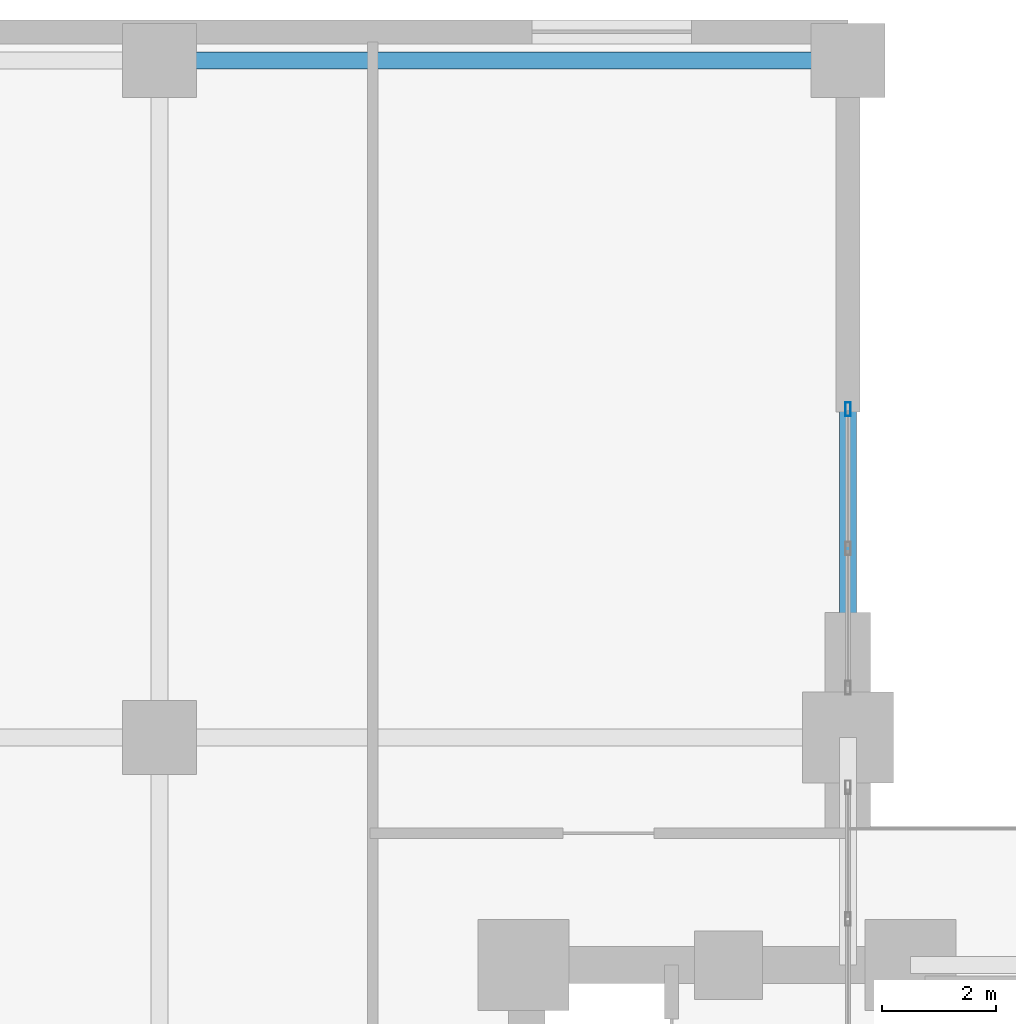
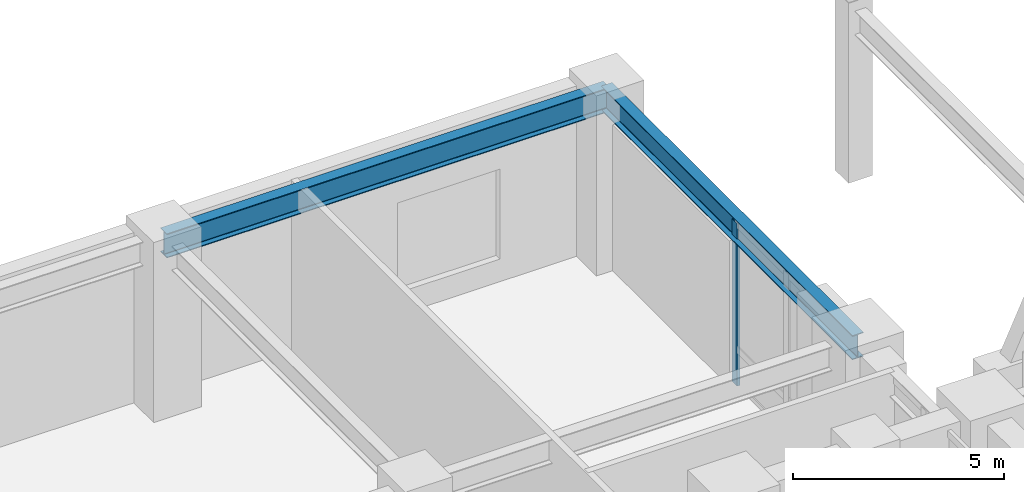
# One storey, part 11 of 26: 2 beams, 1 member, 1 element without a shape of its own.
"""IFC4 building model written with IfcOpenShell, lengths in metres."""

from ifc_helpers import new_model, si_unit, direction, frame, origin, origin_2d, place, context, subcontext, project, spatial, hollow_rectangle, i_section, extrude, material, layer, layer_set, material_profile, profile_set, type_object, element, aggregate, save


model = new_model("IFC4")

# Units and contexts
model_context = context("Model", 3, precision=1e-05, world=origin(), true_north=direction((0.0, 1.0)))
body_context = subcontext(model_context, "Body", "Model", "MODEL_VIEW")
ifc_project = project(units=[si_unit("LENGTHUNIT", "METRE"), si_unit("AREAUNIT", "SQUARE_METRE"), si_unit("VOLUMEUNIT", "CUBIC_METRE"), si_unit("PLANEANGLEUNIT", "RADIAN"), si_unit("MASSUNIT", "GRAM", prefix="KILO")], contexts=[model_context])

# Site, building, storey
site_placement = place(None, origin())
site = spatial("IfcSite", under=ifc_project, at=site_placement, CompositionType="ELEMENT")
building_placement = place(site_placement, origin())
building = spatial("IfcBuilding", under=site, at=building_placement, Name="Voryun Gate Residences", CompositionType="ELEMENT")
storey_placement = place(building_placement, frame((0.0, 0.0, 10.39990234375)))
storey = spatial("IfcBuildingStorey", under=building, at=storey_placement, Name="L02", CompositionType="ELEMENT", Elevation=10.39990234375)

# Beams
ifc_material_1 = material(Name="Steel SM355", Category="steel")
ifc_material_profile_1 = material_profile(ifc_material_1, i_section(OverallWidth=0.300048828125, OverallDepth=0.699951171875, WebThickness=0.012939453125, FlangeThickness=0.02392578125, FilletRadius=0.01806640625, at=origin_2d()), Name="H-700x300x13x24")
ifc_profile_set_1 = profile_set([ifc_material_profile_1], Name="Steel SM355")
beam_type = type_object("IfcBeamType", Name="BM_GIRD_700", PredefinedType="USERDEFINED", material=ifc_profile_set_1)
beam_1_placement = place(storey_placement, frame((-25.60009765625, 23.300048828125, 4.570068359375), z_axis=(1.0, 0.0, 0.0), x_axis=(0.0, 1.0, 0.0)))
element("IfcBeam", 1, at=beam_1_placement, inside=storey, type_object=beam_type, Name="BM-L02-PWX-+23.3-1", ObjectType="GIRDER", PredefinedType="USERDEFINED", context=body_context, shape_type="SweptSolid", body=[
    extrude(i_section(OverallWidth=0.300048828125, OverallDepth=0.699951171875, WebThickness=0.012939453125, FlangeThickness=0.02392578125, FilletRadius=0.01806640625, at=origin_2d()), origin(), (0.0, 0.0, 1.0), 12.10009765625),
])
beam_2_placement = place(storey_placement, frame((-13.5, 11.39990234375, 4.570068359375), z_axis=(0.0, 1.0, 0.0), x_axis=(-1.0, 0.0, 0.0)))
element("IfcBeam", 2, at=beam_2_placement, inside=storey, type_object=beam_type, Name="BM-L02-PWYA-+11.4", ObjectType="GIRDER", PredefinedType="USERDEFINED", context=body_context, shape_type="SweptSolid", body=[
    extrude(i_section(OverallWidth=0.300048828125, OverallDepth=0.699951171875, WebThickness=0.012939453125, FlangeThickness=0.02392578125, FilletRadius=0.01806640625, at=origin_2d()), origin(), (0.0, 0.0, 1.0), 11.900146484375),
])

# Curtain wall, member
ifc_material_2 = material(Name="Anodised aluminium", Category="aluminium")
ifc_layer = layer(ifc_material_2, 0.239990234375, Name="CW_SYS_ARCH_DARK_GLASS")
ifc_layer_set = layer_set([ifc_layer], Name="Anodised aluminium")
curtain_wall_type = type_object("IfcCurtainWallType", Name="CW_SYS_ARCH_DARK_GLASS", PredefinedType="NOTDEFINED", material=ifc_layer_set)
curtain_wall_placement = place(storey_placement, origin())
curtain_wall = element("IfcCurtainWall", 3, at=curtain_wall_placement, inside=storey, type_object=curtain_wall_type, Name="Curtain wall CW2-L02-WP-N", PredefinedType="NOTDEFINED")
ifc_material_3 = material(Name="Anodised aluminium", Category="aluminium")
ifc_material_profile_2 = material_profile(ifc_material_3, hollow_rectangle(XDim=0.090087890625, YDim=0.239990234375, WallThickness=0.006103515625, at=origin_2d()), Name="ALU-MULL-240x90x6")
ifc_profile_set_2 = profile_set([ifc_material_profile_2], Name="Anodised aluminium")
member_type = type_object("IfcMemberType", Name="CW_MULL_ARCH", PredefinedType="MULLION", material=ifc_profile_set_2)
member_placement = place(storey_placement, frame((-13.5, 17.169921875, 0.0), z_axis=(0.0, 0.0, 1.0), x_axis=(-1.0, 0.0, 0.0)))
member = element("IfcMember", 4, at=member_placement, type_object=member_type, Name="CW2 mullion 3", PredefinedType="MULLION", context=body_context, shape_type="SweptSolid", body=[
    extrude(hollow_rectangle(XDim=0.090087890625, YDim=0.239990234375, WallThickness=0.006103515625, at=origin_2d()), origin(), (0.0, 0.0, 1.0), 4.7001953125),
])
aggregate(curtain_wall, [member])

save(model, "model.ifc")
